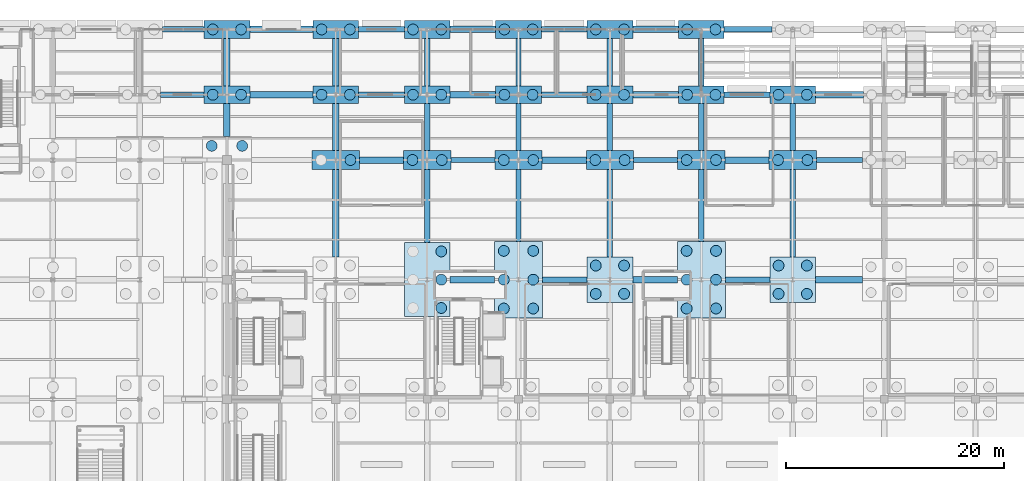
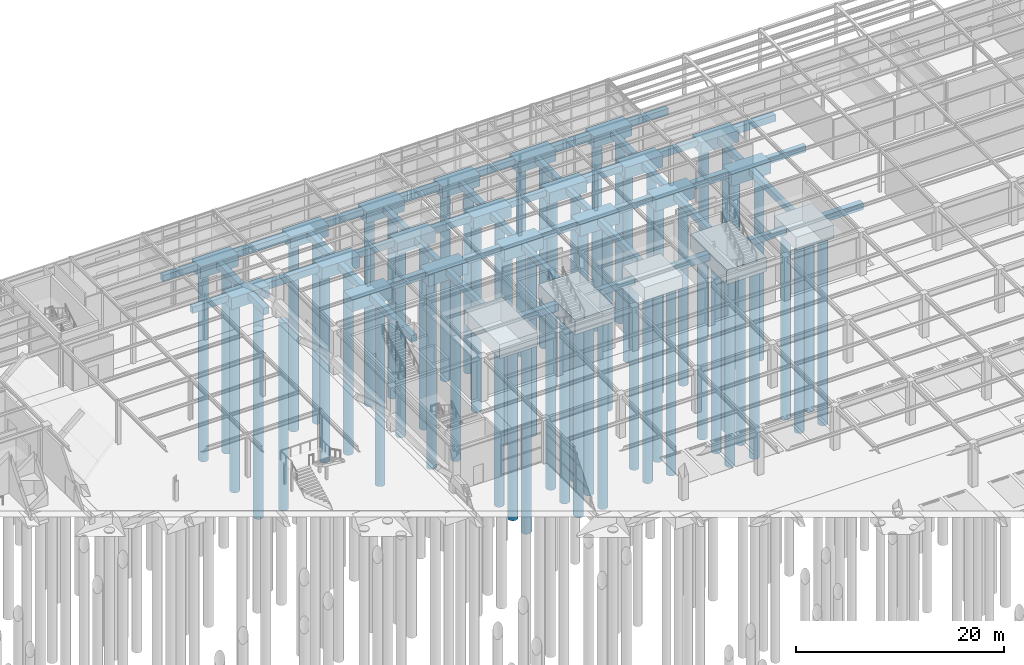
# One storey, part 8 of 129: 69 footings, 62 piles.
"""IFC4 building model written with IfcOpenShell, lengths in metres."""

from ifc_helpers import new_model, si_unit, direction, frame, origin, origin_2d, place, context, subcontext, project, spatial, rectangle, circle, extrude, material, material_profile, profile_set, type_object, element, save


model = new_model("IFC4")

# Units and contexts
model_context = context("Model", 3, precision=1e-05, world=origin(), true_north=direction((0.0, 1.0)))
body_context = subcontext(model_context, "Body", "Model", "MODEL_VIEW")
ifc_project = project(units=[si_unit("LENGTHUNIT", "METRE"), si_unit("AREAUNIT", "SQUARE_METRE"), si_unit("VOLUMEUNIT", "CUBIC_METRE"), si_unit("PLANEANGLEUNIT", "RADIAN"), si_unit("MASSUNIT", "GRAM", prefix="KILO")], contexts=[model_context])

# Site, building, storey
site_placement = place(None, origin())
site = spatial("IfcSite", under=ifc_project, at=site_placement, CompositionType="ELEMENT")
building_placement = place(site_placement, origin())
building = spatial("IfcBuilding", under=site, at=building_placement, Name="Sitalva Quay Ferry Terminal", CompositionType="ELEMENT")
storey_placement = place(building_placement, origin())
storey = spatial("IfcBuildingStorey", under=building, at=storey_placement, Name="L01", CompositionType="ELEMENT", Elevation=0.0)

# Footings
ifc_material_1 = material(Name="Concrete C35/45", Category="concrete")
ifc_material_profile_1 = material_profile(ifc_material_1, rectangle(XDim=0.5, YDim=0.75, at=origin_2d()), Name="RC500x750")
ifc_profile_set_1 = profile_set([ifc_material_profile_1], Name="Concrete C35/45")
footing_type_1 = type_object("IfcFootingType", Name="FootingBeam_500x750", PredefinedType="FOOTING_BEAM", material=ifc_profile_set_1)
footing_1_placement = place(storey_placement, frame((103.0, 89.0, -0.824951171875), z_axis=(1.0, 0.0, 0.0), x_axis=(0.0, 1.0, 0.0)))
element("IfcFooting", 1, at=footing_1_placement, inside=storey, type_object=footing_type_1, Name="Foundation tie beam FBR1-X-147", PredefinedType="FOOTING_BEAM", context=body_context, shape_type="SweptSolid", body=[
    extrude(rectangle(XDim=0.5, YDim=0.75, at=origin_2d()), origin(), (0.0, 0.0, 1.0), 4.10009765625),
])
footing_2_placement = place(storey_placement, frame((119.800048828125, 89.0, -0.824951171875), z_axis=(1.0, 0.0, 0.0), x_axis=(0.0, 1.0, 0.0)))
element("IfcFooting", 2, at=footing_2_placement, inside=storey, type_object=footing_type_1, Name="Foundation tie beam FBR1-X-149", PredefinedType="FOOTING_BEAM", context=body_context, shape_type="SweptSolid", body=[
    extrude(rectangle(XDim=0.5, YDim=0.75, at=origin_2d()), origin(), (0.0, 0.0, 1.0), 4.099853515625),
])
for number, where, z_axis, x_axis, name in (
    (3, (94.574951171875, 100.0, -0.824951171875), (1.0, 0.0, 0.0), (0.0, 1.0, 0.0), "Foundation tie beam FBR1-X-165"),
    (4, (111.375, 100.0, -0.824951171875), (1.0, 0.0, 0.0), (0.0, 1.0, 0.0), "Foundation tie beam FBR1-X-167"),
):
    element("IfcFooting", number, at=place(storey_placement, frame(where, z_axis=z_axis, x_axis=x_axis)), inside=storey, type_object=footing_type_1, Name=name, PredefinedType="FOOTING_BEAM", context=body_context, shape_type="SweptSolid", body=[
        extrude(rectangle(XDim=0.5, YDim=0.75, at=origin_2d()), origin(), (0.0, 0.0, 1.0), 4.050048828125),
    ])
footing_3_placement = place(storey_placement, frame((128.175048828125, 100.0, -0.824951171875), z_axis=(1.0, 0.0, 0.0), x_axis=(0.0, 1.0, 0.0)))
element("IfcFooting", 5, at=footing_3_placement, inside=storey, type_object=footing_type_1, Name="Foundation tie beam FBR1-X-169", PredefinedType="FOOTING_BEAM", context=body_context, shape_type="SweptSolid", body=[
    extrude(rectangle(XDim=0.5, YDim=0.75, at=origin_2d()), origin(), (0.0, 0.0, 1.0), 4.25),
])
footing_4_placement = place(storey_placement, frame((67.89990234375, 106.0, -0.824951171875), z_axis=(1.0, 0.0, 0.0), x_axis=(0.0, 1.0, 0.0)))
element("IfcFooting", 6, at=footing_4_placement, inside=storey, type_object=footing_type_1, Name="Foundation tie beam FBR1-X-181", PredefinedType="FOOTING_BEAM", context=body_context, shape_type="SweptSolid", body=[
    extrude(rectangle(XDim=0.5, YDim=0.75, at=origin_2d()), origin(), (0.0, 0.0, 1.0), 4.0),
])
footing_5_placement = place(storey_placement, frame((86.10009765625, 106.0, -0.824951171875), z_axis=(1.0, 0.0, 0.0), x_axis=(0.0, 1.0, 0.0)))
element("IfcFooting", 7, at=footing_5_placement, inside=storey, type_object=footing_type_1, Name="Foundation tie beam FBR1-X-183", PredefinedType="FOOTING_BEAM", context=body_context, shape_type="SweptSolid", body=[
    extrude(rectangle(XDim=0.5, YDim=0.75, at=origin_2d()), origin(), (0.0, 0.0, 1.0), 4.199951171875),
])
footing_6_placement = place(storey_placement, frame((102.89990234375, 106.0, -0.824951171875), z_axis=(1.0, 0.0, 0.0), x_axis=(0.0, 1.0, 0.0)))
element("IfcFooting", 8, at=footing_6_placement, inside=storey, type_object=footing_type_1, Name="Foundation tie beam FBR1-X-185", PredefinedType="FOOTING_BEAM", context=body_context, shape_type="SweptSolid", body=[
    extrude(rectangle(XDim=0.5, YDim=0.75, at=origin_2d()), origin(), (0.0, 0.0, 1.0), 4.2001953125),
])
footing_7_placement = place(storey_placement, frame((119.699951171875, 106.0, -0.824951171875), z_axis=(1.0, 0.0, 0.0), x_axis=(0.0, 1.0, 0.0)))
element("IfcFooting", 9, at=footing_7_placement, inside=storey, type_object=footing_type_1, Name="Foundation tie beam FBR1-X-187", PredefinedType="FOOTING_BEAM", context=body_context, shape_type="SweptSolid", body=[
    extrude(rectangle(XDim=0.5, YDim=0.75, at=origin_2d()), origin(), (0.0, 0.0, 1.0), 4.199951171875),
])
footing_8_placement = place(storey_placement, frame((68.10009765625, 112.0, -0.824951171875), z_axis=(1.0, 0.0, 0.0), x_axis=(0.0, 1.0, 0.0)))
element("IfcFooting", 10, at=footing_8_placement, inside=storey, type_object=footing_type_1, Name="Foundation tie beam FBR1-X-199", PredefinedType="FOOTING_BEAM", context=body_context, shape_type="SweptSolid", body=[
    extrude(rectangle(XDim=0.5, YDim=0.75, at=origin_2d()), origin(), (0.0, 0.0, 1.0), 3.7998046875),
])
footing_9_placement = place(storey_placement, frame((86.10009765625, 112.0, -0.824951171875), z_axis=(1.0, 0.0, 0.0), x_axis=(0.0, 1.0, 0.0)))
element("IfcFooting", 11, at=footing_9_placement, inside=storey, type_object=footing_type_1, Name="Foundation tie beam FBR1-X-201", PredefinedType="FOOTING_BEAM", context=body_context, shape_type="SweptSolid", body=[
    extrude(rectangle(XDim=0.5, YDim=0.75, at=origin_2d()), origin(), (0.0, 0.0, 1.0), 4.199951171875),
])
footing_10_placement = place(storey_placement, frame((102.89990234375, 112.0, -0.824951171875), z_axis=(1.0, 0.0, 0.0), x_axis=(0.0, 1.0, 0.0)))
element("IfcFooting", 12, at=footing_10_placement, inside=storey, type_object=footing_type_1, Name="Foundation tie beam FBR1-X-203", PredefinedType="FOOTING_BEAM", context=body_context, shape_type="SweptSolid", body=[
    extrude(rectangle(XDim=0.5, YDim=0.75, at=origin_2d()), origin(), (0.0, 0.0, 1.0), 4.2001953125),
])
footing_11_placement = place(storey_placement, frame((119.699951171875, 112.0, -0.824951171875), z_axis=(1.0, 0.0, 0.0), x_axis=(0.0, 1.0, 0.0)))
element("IfcFooting", 13, at=footing_11_placement, inside=storey, type_object=footing_type_1, Name="Foundation tie beam FBR1-X-205", PredefinedType="FOOTING_BEAM", context=body_context, shape_type="SweptSolid", body=[
    extrude(rectangle(XDim=0.5, YDim=0.75, at=origin_2d()), origin(), (0.0, 0.0, 1.0), 4.400146484375),
])
footing_12_placement = place(storey_placement, frame((92.39990234375, 92.39990234375, -0.824951171875), z_axis=(0.0, 1.0, 0.0), x_axis=(-1.0, 0.0, 0.0)))
element("IfcFooting", 14, at=footing_12_placement, inside=storey, type_object=footing_type_1, Name="Foundation tie beam FBR1-Y-308", PredefinedType="FOOTING_BEAM", context=body_context, shape_type="SweptSolid", body=[
    extrude(rectangle(XDim=0.5, YDim=0.75, at=origin_2d()), origin(), (0.0, 0.0, 1.0), 6.72509765625),
])
footing_13_placement = place(storey_placement, frame((92.39990234375, 100.875, -0.824951171875), z_axis=(0.0, 1.0, 0.0), x_axis=(-1.0, 0.0, 0.0)))
element("IfcFooting", 15, at=footing_13_placement, inside=storey, type_object=footing_type_1, Name="Foundation tie beam FBR1-Y-309", PredefinedType="FOOTING_BEAM", context=body_context, shape_type="SweptSolid", body=[
    extrude(rectangle(XDim=0.5, YDim=0.75, at=origin_2d()), origin(), (0.0, 0.0, 1.0), 4.300048828125),
])
footing_14_placement = place(storey_placement, frame((92.39990234375, 106.824951171875, -0.824951171875), z_axis=(0.0, 1.0, 0.0), x_axis=(-1.0, 0.0, 0.0)))
element("IfcFooting", 16, at=footing_14_placement, inside=storey, type_object=footing_type_1, Name="Foundation tie beam FBR1-Y-310", PredefinedType="FOOTING_BEAM", context=body_context, shape_type="SweptSolid", body=[
    extrude(rectangle(XDim=0.5, YDim=0.75, at=origin_2d()), origin(), (0.0, 0.0, 1.0), 4.35009765625),
])
footing_15_placement = place(storey_placement, frame((100.800048828125, 92.5, -0.824951171875), z_axis=(0.0, 1.0, 0.0), x_axis=(-1.0, 0.0, 0.0)))
element("IfcFooting", 17, at=footing_15_placement, inside=storey, type_object=footing_type_1, Name="Foundation tie beam FBR1-Y-318", PredefinedType="FOOTING_BEAM", context=body_context, shape_type="SweptSolid", body=[
    extrude(rectangle(XDim=0.5, YDim=0.75, at=origin_2d()), origin(), (0.0, 0.0, 1.0), 6.625),
])
footing_16_placement = place(storey_placement, frame((100.800048828125, 100.875, -0.824951171875), z_axis=(0.0, 1.0, 0.0), x_axis=(-1.0, 0.0, 0.0)))
element("IfcFooting", 18, at=footing_16_placement, inside=storey, type_object=footing_type_1, Name="Foundation tie beam FBR1-Y-319", PredefinedType="FOOTING_BEAM", context=body_context, shape_type="SweptSolid", body=[
    extrude(rectangle(XDim=0.5, YDim=0.75, at=origin_2d()), origin(), (0.0, 0.0, 1.0), 4.300048828125),
])
footing_17_placement = place(storey_placement, frame((100.800048828125, 106.824951171875, -0.824951171875), z_axis=(0.0, 1.0, 0.0), x_axis=(-1.0, 0.0, 0.0)))
element("IfcFooting", 19, at=footing_17_placement, inside=storey, type_object=footing_type_1, Name="Foundation tie beam FBR1-Y-320", PredefinedType="FOOTING_BEAM", context=body_context, shape_type="SweptSolid", body=[
    extrude(rectangle(XDim=0.5, YDim=0.75, at=origin_2d()), origin(), (0.0, 0.0, 1.0), 4.35009765625),
])
footing_18_placement = place(storey_placement, frame((109.199951171875, 91.10009765625, -0.824951171875), z_axis=(0.0, 1.0, 0.0), x_axis=(-1.0, 0.0, 0.0)))
element("IfcFooting", 20, at=footing_18_placement, inside=storey, type_object=footing_type_1, Name="Foundation tie beam FBR1-Y-328", PredefinedType="FOOTING_BEAM", context=body_context, shape_type="SweptSolid", body=[
    extrude(rectangle(XDim=0.5, YDim=0.75, at=origin_2d()), origin(), (0.0, 0.0, 1.0), 8.02490234375),
])
footing_19_placement = place(storey_placement, frame((109.199951171875, 100.875, -0.824951171875), z_axis=(0.0, 1.0, 0.0), x_axis=(-1.0, 0.0, 0.0)))
element("IfcFooting", 21, at=footing_19_placement, inside=storey, type_object=footing_type_1, Name="Foundation tie beam FBR1-Y-329", PredefinedType="FOOTING_BEAM", context=body_context, shape_type="SweptSolid", body=[
    extrude(rectangle(XDim=0.5, YDim=0.75, at=origin_2d()), origin(), (0.0, 0.0, 1.0), 4.300048828125),
])
footing_20_placement = place(storey_placement, frame((109.199951171875, 106.824951171875, -0.824951171875), z_axis=(0.0, 1.0, 0.0), x_axis=(-1.0, 0.0, 0.0)))
element("IfcFooting", 22, at=footing_20_placement, inside=storey, type_object=footing_type_1, Name="Foundation tie beam FBR1-Y-330", PredefinedType="FOOTING_BEAM", context=body_context, shape_type="SweptSolid", body=[
    extrude(rectangle(XDim=0.5, YDim=0.75, at=origin_2d()), origin(), (0.0, 0.0, 1.0), 4.35009765625),
])
footing_21_placement = place(storey_placement, frame((117.60009765625, 92.5, -0.824951171875), z_axis=(0.0, 1.0, 0.0), x_axis=(-1.0, 0.0, 0.0)))
element("IfcFooting", 23, at=footing_21_placement, inside=storey, type_object=footing_type_1, Name="Foundation tie beam FBR1-Y-338", PredefinedType="FOOTING_BEAM", context=body_context, shape_type="SweptSolid", body=[
    extrude(rectangle(XDim=0.5, YDim=0.75, at=origin_2d()), origin(), (0.0, 0.0, 1.0), 6.625),
])
footing_22_placement = place(storey_placement, frame((117.60009765625, 100.875, -0.824951171875), z_axis=(0.0, 1.0, 0.0), x_axis=(-1.0, 0.0, 0.0)))
element("IfcFooting", 24, at=footing_22_placement, inside=storey, type_object=footing_type_1, Name="Foundation tie beam FBR1-Y-339", PredefinedType="FOOTING_BEAM", context=body_context, shape_type="SweptSolid", body=[
    extrude(rectangle(XDim=0.5, YDim=0.75, at=origin_2d()), origin(), (0.0, 0.0, 1.0), 4.300048828125),
])
footing_23_placement = place(storey_placement, frame((117.60009765625, 106.824951171875, -0.824951171875), z_axis=(0.0, 1.0, 0.0), x_axis=(-1.0, 0.0, 0.0)))
element("IfcFooting", 25, at=footing_23_placement, inside=storey, type_object=footing_type_1, Name="Foundation tie beam FBR1-Y-340", PredefinedType="FOOTING_BEAM", context=body_context, shape_type="SweptSolid", body=[
    extrude(rectangle(XDim=0.5, YDim=0.75, at=origin_2d()), origin(), (0.0, 0.0, 1.0), 4.35009765625),
])
footing_24_placement = place(storey_placement, frame((126.0, 91.10009765625, -0.824951171875), z_axis=(0.0, 1.0, 0.0), x_axis=(-1.0, 0.0, 0.0)))
element("IfcFooting", 26, at=footing_24_placement, inside=storey, type_object=footing_type_1, Name="Foundation tie beam FBR1-Y-348", PredefinedType="FOOTING_BEAM", context=body_context, shape_type="SweptSolid", body=[
    extrude(rectangle(XDim=0.5, YDim=0.75, at=origin_2d()), origin(), (0.0, 0.0, 1.0), 8.02490234375),
])
footing_25_placement = place(storey_placement, frame((126.0, 100.875, -0.824951171875), z_axis=(0.0, 1.0, 0.0), x_axis=(-1.0, 0.0, 0.0)))
element("IfcFooting", 27, at=footing_25_placement, inside=storey, type_object=footing_type_1, Name="Foundation tie beam FBR1-Y-349", PredefinedType="FOOTING_BEAM", context=body_context, shape_type="SweptSolid", body=[
    extrude(rectangle(XDim=0.5, YDim=0.75, at=origin_2d()), origin(), (0.0, 0.0, 1.0), 4.300048828125),
])
ifc_material_2 = material(Name="Concrete C35/45", Category="concrete")
ifc_material_profile_2 = material_profile(ifc_material_2, rectangle(XDim=0.60009765625, YDim=0.800048828125, at=origin_2d()), Name="RC600x800")
ifc_profile_set_2 = profile_set([ifc_material_profile_2], Name="Concrete C35/45")
footing_type_2 = type_object("IfcFootingType", Name="FootingBeam_600x800", PredefinedType="FOOTING_BEAM", material=ifc_profile_set_2)
footing_26_placement = place(storey_placement, frame((94.5, 89.0, -0.85009765625), z_axis=(1.0, 0.0, 0.0), x_axis=(0.0, 1.0, 0.0)))
element("IfcFooting", 28, at=footing_26_placement, inside=storey, type_object=footing_type_2, Name="Foundation tie beam FBR1-X-146", PredefinedType="FOOTING_BEAM", context=body_context, shape_type="SweptSolid", body=[
    extrude(rectangle(XDim=0.60009765625, YDim=0.800048828125, at=origin_2d()), origin(), (0.0, 0.0, 1.0), 4.10009765625),
])
footing_27_placement = place(storey_placement, frame((111.300048828125, 89.0, -0.85009765625), z_axis=(1.0, 0.0, 0.0), x_axis=(0.0, 1.0, 0.0)))
element("IfcFooting", 29, at=footing_27_placement, inside=storey, type_object=footing_type_2, Name="Foundation tie beam FBR1-X-148", PredefinedType="FOOTING_BEAM", context=body_context, shape_type="SweptSolid", body=[
    extrude(rectangle(XDim=0.60009765625, YDim=0.800048828125, at=origin_2d()), origin(), (0.0, 0.0, 1.0), 4.099853515625),
])
footing_28_placement = place(storey_placement, frame((128.10009765625, 89.0, -0.85009765625), z_axis=(1.0, 0.0, 0.0), x_axis=(0.0, 1.0, 0.0)))
element("IfcFooting", 30, at=footing_28_placement, inside=storey, type_object=footing_type_2, Name="Foundation tie beam FBR1-X-150", PredefinedType="FOOTING_BEAM", context=body_context, shape_type="SweptSolid", body=[
    extrude(rectangle(XDim=0.60009765625, YDim=0.800048828125, at=origin_2d()), origin(), (0.0, 0.0, 1.0), 4.2998046875),
])
footing_29_placement = place(storey_placement, frame((86.175048828125, 100.0, -0.85009765625), z_axis=(1.0, 0.0, 0.0), x_axis=(0.0, 1.0, 0.0)))
element("IfcFooting", 31, at=footing_29_placement, inside=storey, type_object=footing_type_2, Name="Foundation tie beam FBR1-X-164", PredefinedType="FOOTING_BEAM", context=body_context, shape_type="SweptSolid", body=[
    extrude(rectangle(XDim=0.60009765625, YDim=0.800048828125, at=origin_2d()), origin(), (0.0, 0.0, 1.0), 4.050048828125),
])
footing_30_placement = place(storey_placement, frame((102.97509765625, 100.0, -0.85009765625), z_axis=(1.0, 0.0, 0.0), x_axis=(0.0, 1.0, 0.0)))
element("IfcFooting", 32, at=footing_30_placement, inside=storey, type_object=footing_type_2, Name="Foundation tie beam FBR1-X-166", PredefinedType="FOOTING_BEAM", context=body_context, shape_type="SweptSolid", body=[
    extrude(rectangle(XDim=0.60009765625, YDim=0.800048828125, at=origin_2d()), origin(), (0.0, 0.0, 1.0), 4.0498046875),
])
footing_31_placement = place(storey_placement, frame((119.77490234375, 100.0, -0.85009765625), z_axis=(1.0, 0.0, 0.0), x_axis=(0.0, 1.0, 0.0)))
element("IfcFooting", 33, at=footing_31_placement, inside=storey, type_object=footing_type_2, Name="Foundation tie beam FBR1-X-168", PredefinedType="FOOTING_BEAM", context=body_context, shape_type="SweptSolid", body=[
    extrude(rectangle(XDim=0.60009765625, YDim=0.800048828125, at=origin_2d()), origin(), (0.0, 0.0, 1.0), 4.050048828125),
])
footing_32_placement = place(storey_placement, frame((76.10009765625, 106.0, -0.85009765625), z_axis=(1.0, 0.0, 0.0), x_axis=(0.0, 1.0, 0.0)))
element("IfcFooting", 34, at=footing_32_placement, inside=storey, type_object=footing_type_2, Name="Foundation tie beam FBR1-X-182", PredefinedType="FOOTING_BEAM", context=body_context, shape_type="SweptSolid", body=[
    extrude(rectangle(XDim=0.60009765625, YDim=0.800048828125, at=origin_2d()), origin(), (0.0, 0.0, 1.0), 5.7998046875),
])
for number, where, z_axis, x_axis, name in (
    (35, (94.5, 106.0, -0.85009765625), (1.0, 0.0, 0.0), (0.0, 1.0, 0.0), "Foundation tie beam FBR1-X-184"),
    (36, (111.300048828125, 106.0, -0.85009765625), (1.0, 0.0, 0.0), (0.0, 1.0, 0.0), "Foundation tie beam FBR1-X-186"),
):
    element("IfcFooting", number, at=place(storey_placement, frame(where, z_axis=z_axis, x_axis=x_axis)), inside=storey, type_object=footing_type_2, Name=name, PredefinedType="FOOTING_BEAM", context=body_context, shape_type="SweptSolid", body=[
        extrude(rectangle(XDim=0.60009765625, YDim=0.800048828125, at=origin_2d()), origin(), (0.0, 0.0, 1.0), 4.199951171875),
    ])
footing_33_placement = place(storey_placement, frame((128.10009765625, 106.0, -0.85009765625), z_axis=(1.0, 0.0, 0.0), x_axis=(0.0, 1.0, 0.0)))
element("IfcFooting", 37, at=footing_33_placement, inside=storey, type_object=footing_type_2, Name="Foundation tie beam FBR1-X-188", PredefinedType="FOOTING_BEAM", context=body_context, shape_type="SweptSolid", body=[
    extrude(rectangle(XDim=0.60009765625, YDim=0.800048828125, at=origin_2d()), origin(), (0.0, 0.0, 1.0), 4.39990234375),
])
footing_34_placement = place(storey_placement, frame((76.10009765625, 112.0, -0.85009765625), z_axis=(1.0, 0.0, 0.0), x_axis=(0.0, 1.0, 0.0)))
element("IfcFooting", 38, at=footing_34_placement, inside=storey, type_object=footing_type_2, Name="Foundation tie beam FBR1-X-200", PredefinedType="FOOTING_BEAM", context=body_context, shape_type="SweptSolid", body=[
    extrude(rectangle(XDim=0.60009765625, YDim=0.800048828125, at=origin_2d()), origin(), (0.0, 0.0, 1.0), 5.7998046875),
])
for number, where, z_axis, x_axis, name in (
    (39, (94.5, 112.0, -0.85009765625), (1.0, 0.0, 0.0), (0.0, 1.0, 0.0), "Foundation tie beam FBR1-X-202"),
    (40, (111.300048828125, 112.0, -0.85009765625), (1.0, 0.0, 0.0), (0.0, 1.0, 0.0), "Foundation tie beam FBR1-X-204"),
):
    element("IfcFooting", number, at=place(storey_placement, frame(where, z_axis=z_axis, x_axis=x_axis)), inside=storey, type_object=footing_type_2, Name=name, PredefinedType="FOOTING_BEAM", context=body_context, shape_type="SweptSolid", body=[
        extrude(rectangle(XDim=0.60009765625, YDim=0.800048828125, at=origin_2d()), origin(), (0.0, 0.0, 1.0), 4.199951171875),
    ])
footing_35_placement = place(storey_placement, frame((74.0, 102.14990234375, -0.85009765625), z_axis=(0.0, 1.0, 0.0), x_axis=(-1.0, 0.0, 0.0)))
element("IfcFooting", 41, at=footing_35_placement, inside=storey, type_object=footing_type_2, Name="Foundation tie beam FBR1-Y-289", PredefinedType="FOOTING_BEAM", context=body_context, shape_type="SweptSolid", body=[
    extrude(rectangle(XDim=0.60009765625, YDim=0.800048828125, at=origin_2d()), origin(), (0.0, 0.0, 1.0), 3.025146484375),
])
footing_36_placement = place(storey_placement, frame((74.0, 106.824951171875, -0.85009765625), z_axis=(0.0, 1.0, 0.0), x_axis=(-1.0, 0.0, 0.0)))
element("IfcFooting", 42, at=footing_36_placement, inside=storey, type_object=footing_type_2, Name="Foundation tie beam FBR1-Y-290", PredefinedType="FOOTING_BEAM", context=body_context, shape_type="SweptSolid", body=[
    extrude(rectangle(XDim=0.60009765625, YDim=0.800048828125, at=origin_2d()), origin(), (0.0, 0.0, 1.0), 4.35009765625),
])
footing_37_placement = place(storey_placement, frame((84.0, 91.10009765625, -0.85009765625), z_axis=(0.0, 1.0, 0.0), x_axis=(-1.0, 0.0, 0.0)))
element("IfcFooting", 43, at=footing_37_placement, inside=storey, type_object=footing_type_2, Name="Foundation tie beam FBR1-Y-298", PredefinedType="FOOTING_BEAM", context=body_context, shape_type="SweptSolid", body=[
    extrude(rectangle(XDim=0.60009765625, YDim=0.800048828125, at=origin_2d()), origin(), (0.0, 0.0, 1.0), 8.02490234375),
])
footing_38_placement = place(storey_placement, frame((84.0, 100.875, -0.85009765625), z_axis=(0.0, 1.0, 0.0), x_axis=(-1.0, 0.0, 0.0)))
element("IfcFooting", 44, at=footing_38_placement, inside=storey, type_object=footing_type_2, Name="Foundation tie beam FBR1-Y-299", PredefinedType="FOOTING_BEAM", context=body_context, shape_type="SweptSolid", body=[
    extrude(rectangle(XDim=0.60009765625, YDim=0.800048828125, at=origin_2d()), origin(), (0.0, 0.0, 1.0), 4.300048828125),
])
footing_39_placement = place(storey_placement, frame((84.0, 106.824951171875, -0.85009765625), z_axis=(0.0, 1.0, 0.0), x_axis=(-1.0, 0.0, 0.0)))
element("IfcFooting", 45, at=footing_39_placement, inside=storey, type_object=footing_type_2, Name="Foundation tie beam FBR1-Y-300", PredefinedType="FOOTING_BEAM", context=body_context, shape_type="SweptSolid", body=[
    extrude(rectangle(XDim=0.60009765625, YDim=0.800048828125, at=origin_2d()), origin(), (0.0, 0.0, 1.0), 4.35009765625),
])
ifc_material_3 = material(Name="Concrete C35/45", Category="concrete")
footing_type_3 = type_object("IfcFootingType", Name="PileCap_2P_D1000_X1", PredefinedType="PILE_CAP", material=ifc_material_3)
for number, where, z_axis, x_axis, name in (
    (46, (74.0, 106.0, -1.800048828125), (0.0, 0.0, 1.0), (1.0, 0.0, 0.0), "Pile cap PC-10 at 10M"),
    (47, (84.0, 106.0, -1.800048828125), (0.0, 0.0, 1.0), (1.0, 0.0, 0.0), "Pile cap PC-10 at 11M"),
    (48, (92.39990234375, 106.0, -1.800048828125), (0.0, 0.0, 1.0), (1.0, 0.0, 0.0), "Pile cap PC-10 at 12M"),
    (49, (100.800048828125, 106.0, -1.800048828125), (0.0, 0.0, 1.0), (1.0, 0.0, 0.0), "Pile cap PC-10 at 13M"),
    (50, (109.199951171875, 106.0, -1.800048828125), (0.0, 0.0, 1.0), (1.0, 0.0, 0.0), "Pile cap PC-10 at 14M"),
    (51, (117.60009765625, 106.0, -1.800048828125), (0.0, 0.0, 1.0), (1.0, 0.0, 0.0), "Pile cap PC-10 at 15M"),
    (52, (126.0, 106.0, -1.800048828125), (0.0, 0.0, 1.0), (1.0, 0.0, 0.0), "Pile cap PC-10 at 16M"),
    (53, (74.0, 112.0, -1.800048828125), (0.0, 0.0, 1.0), (1.0, 0.0, 0.0), "Pile cap PC-10 at 10N"),
    (54, (84.0, 112.0, -1.800048828125), (0.0, 0.0, 1.0), (1.0, 0.0, 0.0), "Pile cap PC-10 at 11N"),
    (55, (92.39990234375, 112.0, -1.800048828125), (0.0, 0.0, 1.0), (1.0, 0.0, 0.0), "Pile cap PC-10 at 12N"),
    (56, (100.800048828125, 112.0, -1.800048828125), (0.0, 0.0, 1.0), (1.0, 0.0, 0.0), "Pile cap PC-10 at 13N"),
    (57, (109.199951171875, 112.0, -1.800048828125), (0.0, 0.0, 1.0), (1.0, 0.0, 0.0), "Pile cap PC-10 at 14N"),
    (58, (117.60009765625, 112.0, -1.800048828125), (0.0, 0.0, 1.0), (1.0, 0.0, 0.0), "Pile cap PC-10 at 15N"),
):
    element("IfcFooting", number, at=place(storey_placement, frame(where, z_axis=z_axis, x_axis=x_axis)), inside=storey, type_object=footing_type_3, Name=name, PredefinedType="PILE_CAP", context=body_context, shape_type="SweptSolid", body=[
        extrude(rectangle(XDim=4.199951171875, YDim=1.64990234375, at=origin_2d()), origin(), (0.0, 0.0, 1.0), 1.35009765625),
    ])
ifc_material_4 = material(Name="Concrete C35/45", Category="concrete")
footing_type_4 = type_object("IfcFootingType", Name="PileCap_2P_D1000_X2", PredefinedType="PILE_CAP", material=ifc_material_4)
for number, where, z_axis, x_axis, name in (
    (59, (84.0, 100.0, -1.849853515625), (0.0, 0.0, 1.0), (1.0, 0.0, 0.0), "Pile cap PC-11 at 11L"),
    (60, (92.39990234375, 100.0, -1.849853515625), (0.0, 0.0, 1.0), (1.0, 0.0, 0.0), "Pile cap PC-11 at 12L"),
    (61, (100.800048828125, 100.0, -1.849853515625), (0.0, 0.0, 1.0), (1.0, 0.0, 0.0), "Pile cap PC-11 at 13L"),
    (62, (109.199951171875, 100.0, -1.849853515625), (0.0, 0.0, 1.0), (1.0, 0.0, 0.0), "Pile cap PC-11 at 14L"),
    (63, (117.60009765625, 100.0, -1.849853515625), (0.0, 0.0, 1.0), (1.0, 0.0, 0.0), "Pile cap PC-11 at 15L"),
    (64, (126.0, 100.0, -1.849853515625), (0.0, 0.0, 1.0), (1.0, 0.0, 0.0), "Pile cap PC-11 at 16L"),
):
    element("IfcFooting", number, at=place(storey_placement, frame(where, z_axis=z_axis, x_axis=x_axis)), inside=storey, type_object=footing_type_4, Name=name, PredefinedType="PILE_CAP", context=body_context, shape_type="SweptSolid", body=[
        extrude(rectangle(XDim=4.35009765625, YDim=1.75, at=origin_2d()), origin(), (0.0, 0.0, 1.0), 1.39990234375),
    ])
ifc_material_5 = material(Name="Concrete C35/45", Category="concrete")
footing_type_5 = type_object("IfcFootingType", Name="PileCap_4P_D1000_A", PredefinedType="PILE_CAP", material=ifc_material_5)
for number, where, z_axis, x_axis, name in (
    (65, (109.199951171875, 89.0, -1.949951171875), (0.0, 0.0, 1.0), (1.0, 0.0, 0.0), "Pile cap PC-03 at 14K"),
    (66, (126.0, 89.0, -1.949951171875), (0.0, 0.0, 1.0), (1.0, 0.0, 0.0), "Pile cap PC-03 at 16K"),
):
    element("IfcFooting", number, at=place(storey_placement, frame(where, z_axis=z_axis, x_axis=x_axis)), inside=storey, type_object=footing_type_5, Name=name, PredefinedType="PILE_CAP", context=body_context, shape_type="SweptSolid", body=[
        extrude(rectangle(XDim=4.199951171875, YDim=4.199951171875, at=origin_2d()), origin(), (0.0, 0.0, 1.0), 1.5),
    ])
ifc_material_6 = material(Name="Concrete C35/45", Category="concrete")
footing_type_6 = type_object("IfcFootingType", Name="PileCap_6P_D1000_A", PredefinedType="PILE_CAP", material=ifc_material_6)
footing_40_placement = place(storey_placement, frame((92.39990234375, 89.0, -2.099853515625), z_axis=(0.0, 0.0, 1.0), x_axis=(1.0, 0.0, 0.0)))
element("IfcFooting", 67, at=footing_40_placement, inside=storey, type_object=footing_type_6, Name="Pile cap PC-01 at 12K", PredefinedType="PILE_CAP", context=body_context, shape_type="SweptSolid", body=[
    extrude(rectangle(XDim=4.199951171875, YDim=6.800048828125, at=origin_2d()), origin(), (0.0, 0.0, 1.0), 1.64990234375),
])
ifc_material_7 = material(Name="Concrete C35/45", Category="concrete")
footing_type_7 = type_object("IfcFootingType", Name="PileCap_6P_D1000_B", PredefinedType="PILE_CAP", material=ifc_material_7)
for number, where, z_axis, x_axis, name in (
    (68, (100.800048828125, 89.0, -2.14990234375), (0.0, 0.0, 1.0), (1.0, 0.0, 0.0), "Pile cap PC-02 at 13K"),
    (69, (117.60009765625, 89.0, -2.14990234375), (0.0, 0.0, 1.0), (1.0, 0.0, 0.0), "Pile cap PC-02 at 15K"),
):
    element("IfcFooting", number, at=place(storey_placement, frame(where, z_axis=z_axis, x_axis=x_axis)), inside=storey, type_object=footing_type_7, Name=name, PredefinedType="PILE_CAP", context=body_context, shape_type="SweptSolid", body=[
        extrude(rectangle(XDim=4.39990234375, YDim=7.0, at=origin_2d()), origin(), (0.0, 0.0, 1.0), 1.699951171875),
    ])

# Piles
ifc_material_8 = material(Name="Concrete C35/45", Category="concrete")
ifc_material_profile_3 = material_profile(ifc_material_8, circle(Radius=0.5, at=origin_2d()), Name="PILE-D1000")
ifc_profile_set_3 = profile_set([ifc_material_profile_3], Name="Concrete C35/45")
pile_type = type_object("IfcPileType", Name="Pile_Bored_D1000", PredefinedType="BORED", material=ifc_profile_set_3)
for number, where, z_axis, x_axis, name in (
    (70, (93.699951171875, 86.39990234375, -2.0), (0.0, 0.0, -1.0), (1.0, 0.0, 0.0), "Bored pile 12K-P2"),
    (71, (93.699951171875, 89.0, -2.0), (0.0, 0.0, -1.0), (1.0, 0.0, 0.0), "Bored pile 12K-P4"),
    (72, (93.699951171875, 91.60009765625, -2.0), (0.0, 0.0, -1.0), (1.0, 0.0, 0.0), "Bored pile 12K-P6"),
    (73, (99.449951171875, 86.35009765625, -2.050048828125), (0.0, 0.0, -1.0), (1.0, 0.0, 0.0), "Bored pile 13K-P1"),
    (74, (102.14990234375, 86.35009765625, -2.050048828125), (0.0, 0.0, -1.0), (1.0, 0.0, 0.0), "Bored pile 13K-P2"),
    (75, (99.449951171875, 89.0, -2.050048828125), (0.0, 0.0, -1.0), (1.0, 0.0, 0.0), "Bored pile 13K-P3"),
    (76, (102.14990234375, 89.0, -2.050048828125), (0.0, 0.0, -1.0), (1.0, 0.0, 0.0), "Bored pile 13K-P4"),
    (77, (99.449951171875, 91.64990234375, -2.050048828125), (0.0, 0.0, -1.0), (1.0, 0.0, 0.0), "Bored pile 13K-P5"),
    (78, (102.14990234375, 91.64990234375, -2.050048828125), (0.0, 0.0, -1.0), (1.0, 0.0, 0.0), "Bored pile 13K-P6"),
    (79, (107.89990234375, 87.699951171875, -1.85009765625), (0.0, 0.0, -1.0), (1.0, 0.0, 0.0), "Bored pile 14K-P1"),
    (80, (110.5, 87.699951171875, -1.85009765625), (0.0, 0.0, -1.0), (1.0, 0.0, 0.0), "Bored pile 14K-P2"),
    (81, (107.89990234375, 90.300048828125, -1.85009765625), (0.0, 0.0, -1.0), (1.0, 0.0, 0.0), "Bored pile 14K-P3"),
    (82, (110.5, 90.300048828125, -1.85009765625), (0.0, 0.0, -1.0), (1.0, 0.0, 0.0), "Bored pile 14K-P4"),
    (83, (116.25, 86.35009765625, -2.050048828125), (0.0, 0.0, -1.0), (1.0, 0.0, 0.0), "Bored pile 15K-P1"),
    (84, (118.949951171875, 86.35009765625, -2.050048828125), (0.0, 0.0, -1.0), (1.0, 0.0, 0.0), "Bored pile 15K-P2"),
    (85, (116.25, 89.0, -2.050048828125), (0.0, 0.0, -1.0), (1.0, 0.0, 0.0), "Bored pile 15K-P3"),
    (86, (118.949951171875, 89.0, -2.050048828125), (0.0, 0.0, -1.0), (1.0, 0.0, 0.0), "Bored pile 15K-P4"),
    (87, (116.25, 91.64990234375, -2.050048828125), (0.0, 0.0, -1.0), (1.0, 0.0, 0.0), "Bored pile 15K-P5"),
    (88, (118.949951171875, 91.64990234375, -2.050048828125), (0.0, 0.0, -1.0), (1.0, 0.0, 0.0), "Bored pile 15K-P6"),
    (89, (124.699951171875, 87.699951171875, -1.85009765625), (0.0, 0.0, -1.0), (1.0, 0.0, 0.0), "Bored pile 16K-P1"),
    (90, (127.300048828125, 87.699951171875, -1.85009765625), (0.0, 0.0, -1.0), (1.0, 0.0, 0.0), "Bored pile 16K-P2"),
    (91, (124.699951171875, 90.300048828125, -1.85009765625), (0.0, 0.0, -1.0), (1.0, 0.0, 0.0), "Bored pile 16K-P3"),
    (92, (127.300048828125, 90.300048828125, -1.85009765625), (0.0, 0.0, -1.0), (1.0, 0.0, 0.0), "Bored pile 16K-P4"),
    (93, (72.60009765625, 101.300048828125, -1.89990234375), (0.0, 0.0, -1.0), (1.0, 0.0, 0.0), "Bored pile 10L-P3"),
    (94, (75.39990234375, 101.300048828125, -1.89990234375), (0.0, 0.0, -1.0), (1.0, 0.0, 0.0), "Bored pile 10L-P4"),
    (95, (85.35009765625, 100.0, -1.75), (0.0, 0.0, -1.0), (1.0, 0.0, 0.0), "Bored pile 11L-P2"),
    (96, (91.050048828125, 100.0, -1.75), (0.0, 0.0, -1.0), (1.0, 0.0, 0.0), "Bored pile 12L-P1"),
    (97, (93.75, 100.0, -1.75), (0.0, 0.0, -1.0), (1.0, 0.0, 0.0), "Bored pile 12L-P2"),
    (98, (99.449951171875, 100.0, -1.75), (0.0, 0.0, -1.0), (1.0, 0.0, 0.0), "Bored pile 13L-P1"),
    (99, (102.14990234375, 100.0, -1.75), (0.0, 0.0, -1.0), (1.0, 0.0, 0.0), "Bored pile 13L-P2"),
    (100, (107.85009765625, 100.0, -1.75), (0.0, 0.0, -1.0), (1.0, 0.0, 0.0), "Bored pile 14L-P1"),
    (101, (110.550048828125, 100.0, -1.75), (0.0, 0.0, -1.0), (1.0, 0.0, 0.0), "Bored pile 14L-P2"),
    (102, (116.25, 100.0, -1.75), (0.0, 0.0, -1.0), (1.0, 0.0, 0.0), "Bored pile 15L-P1"),
    (103, (118.949951171875, 100.0, -1.75), (0.0, 0.0, -1.0), (1.0, 0.0, 0.0), "Bored pile 15L-P2"),
    (104, (124.64990234375, 100.0, -1.75), (0.0, 0.0, -1.0), (1.0, 0.0, 0.0), "Bored pile 16L-P1"),
    (105, (127.35009765625, 100.0, -1.75), (0.0, 0.0, -1.0), (1.0, 0.0, 0.0), "Bored pile 16L-P2"),
    (106, (72.699951171875, 106.0, -1.699951171875), (0.0, 0.0, -1.0), (1.0, 0.0, 0.0), "Bored pile 10M-P1"),
    (107, (75.300048828125, 106.0, -1.699951171875), (0.0, 0.0, -1.0), (1.0, 0.0, 0.0), "Bored pile 10M-P2"),
    (108, (82.699951171875, 106.0, -1.699951171875), (0.0, 0.0, -1.0), (1.0, 0.0, 0.0), "Bored pile 11M-P1"),
    (109, (85.300048828125, 106.0, -1.699951171875), (0.0, 0.0, -1.0), (1.0, 0.0, 0.0), "Bored pile 11M-P2"),
    (110, (91.10009765625, 106.0, -1.699951171875), (0.0, 0.0, -1.0), (1.0, 0.0, 0.0), "Bored pile 12M-P1"),
    (111, (93.699951171875, 106.0, -1.699951171875), (0.0, 0.0, -1.0), (1.0, 0.0, 0.0), "Bored pile 12M-P2"),
    (112, (99.5, 106.0, -1.699951171875), (0.0, 0.0, -1.0), (1.0, 0.0, 0.0), "Bored pile 13M-P1"),
    (113, (102.10009765625, 106.0, -1.699951171875), (0.0, 0.0, -1.0), (1.0, 0.0, 0.0), "Bored pile 13M-P2"),
    (114, (107.89990234375, 106.0, -1.699951171875), (0.0, 0.0, -1.0), (1.0, 0.0, 0.0), "Bored pile 14M-P1"),
    (115, (110.5, 106.0, -1.699951171875), (0.0, 0.0, -1.0), (1.0, 0.0, 0.0), "Bored pile 14M-P2"),
    (116, (116.300048828125, 106.0, -1.699951171875), (0.0, 0.0, -1.0), (1.0, 0.0, 0.0), "Bored pile 15M-P1"),
    (117, (118.89990234375, 106.0, -1.699951171875), (0.0, 0.0, -1.0), (1.0, 0.0, 0.0), "Bored pile 15M-P2"),
    (118, (124.699951171875, 106.0, -1.699951171875), (0.0, 0.0, -1.0), (1.0, 0.0, 0.0), "Bored pile 16M-P1"),
    (119, (127.300048828125, 106.0, -1.699951171875), (0.0, 0.0, -1.0), (1.0, 0.0, 0.0), "Bored pile 16M-P2"),
    (120, (72.699951171875, 112.0, -1.699951171875), (0.0, 0.0, -1.0), (1.0, 0.0, 0.0), "Bored pile 10N-P1"),
    (121, (75.300048828125, 112.0, -1.699951171875), (0.0, 0.0, -1.0), (1.0, 0.0, 0.0), "Bored pile 10N-P2"),
    (122, (82.699951171875, 112.0, -1.699951171875), (0.0, 0.0, -1.0), (1.0, 0.0, 0.0), "Bored pile 11N-P1"),
    (123, (85.300048828125, 112.0, -1.699951171875), (0.0, 0.0, -1.0), (1.0, 0.0, 0.0), "Bored pile 11N-P2"),
    (124, (91.10009765625, 112.0, -1.699951171875), (0.0, 0.0, -1.0), (1.0, 0.0, 0.0), "Bored pile 12N-P1"),
    (125, (93.699951171875, 112.0, -1.699951171875), (0.0, 0.0, -1.0), (1.0, 0.0, 0.0), "Bored pile 12N-P2"),
    (126, (99.5, 112.0, -1.699951171875), (0.0, 0.0, -1.0), (1.0, 0.0, 0.0), "Bored pile 13N-P1"),
    (127, (102.10009765625, 112.0, -1.699951171875), (0.0, 0.0, -1.0), (1.0, 0.0, 0.0), "Bored pile 13N-P2"),
    (128, (107.89990234375, 112.0, -1.699951171875), (0.0, 0.0, -1.0), (1.0, 0.0, 0.0), "Bored pile 14N-P1"),
    (129, (110.5, 112.0, -1.699951171875), (0.0, 0.0, -1.0), (1.0, 0.0, 0.0), "Bored pile 14N-P2"),
    (130, (116.300048828125, 112.0, -1.699951171875), (0.0, 0.0, -1.0), (1.0, 0.0, 0.0), "Bored pile 15N-P1"),
    (131, (118.89990234375, 112.0, -1.699951171875), (0.0, 0.0, -1.0), (1.0, 0.0, 0.0), "Bored pile 15N-P2"),
):
    element("IfcPile", number, at=place(storey_placement, frame(where, z_axis=z_axis, x_axis=x_axis)), inside=storey, type_object=pile_type, Name=name, PredefinedType="BORED", context=body_context, shape_type="SweptSolid", body=[
        extrude(circle(Radius=0.5, at=origin_2d()), origin(), (0.0, 0.0, 1.0), 22.0),
    ])

save(model, "model.ifc")
